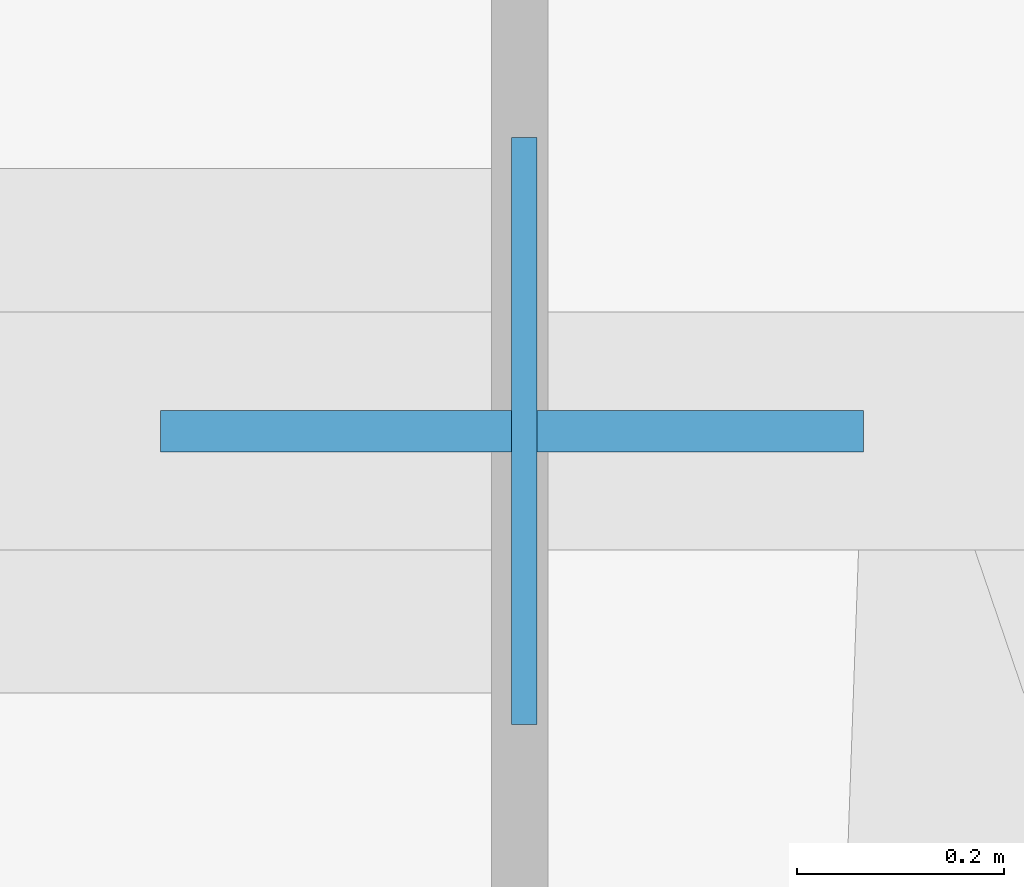
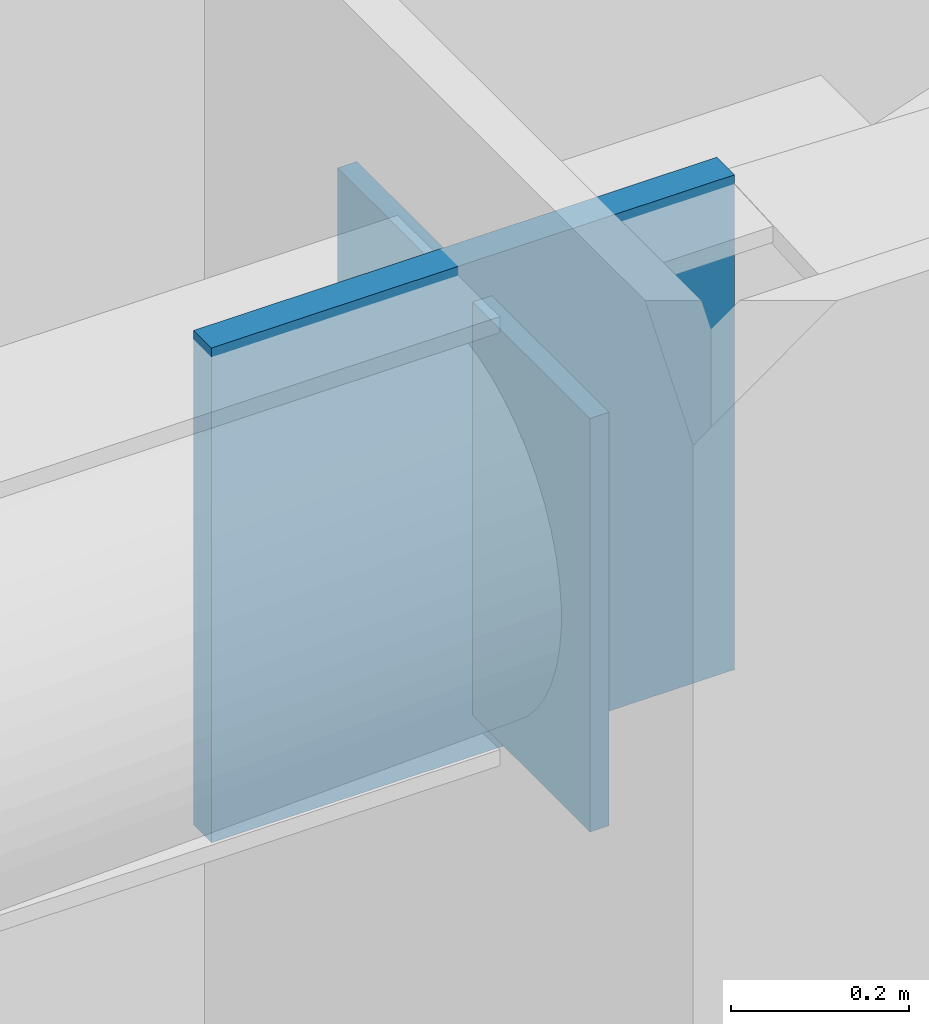
# One storey, part 10 of 19: 2 plates.
"""IFC4 building model written with IfcOpenShell, lengths in metres."""

from ifc_helpers import new_model, si_unit, direction, frame, origin, origin_2d, place, context, subcontext, project, spatial, rectangle, extrude, material, layer, layer_set, type_object, element, save


model = new_model("IFC4")

# Units and contexts
model_context = context("Model", 3, precision=1e-05, world=origin(), true_north=direction((0.0, 1.0)))
body_context = subcontext(model_context, "Body", "Model", "MODEL_VIEW")
ifc_project = project(units=[si_unit("LENGTHUNIT", "METRE"), si_unit("AREAUNIT", "SQUARE_METRE"), si_unit("VOLUMEUNIT", "CUBIC_METRE"), si_unit("PLANEANGLEUNIT", "RADIAN"), si_unit("MASSUNIT", "GRAM", prefix="KILO")], contexts=[model_context])

# Site, building, storey
site_placement = place(None, origin())
site = spatial("IfcSite", under=ifc_project, at=site_placement, CompositionType="ELEMENT")
building_placement = place(site_placement, origin())
building = spatial("IfcBuilding", under=site, at=building_placement, Name="Khamvora Tower", CompositionType="ELEMENT")
storey_placement = place(building_placement, frame((0.0, 0.0, 58.85009765625)))
storey = spatial("IfcBuildingStorey", under=building, at=storey_placement, Name="L14", CompositionType="ELEMENT", Elevation=58.85009765625)

# Plates
ifc_material_1 = material(Name="Steel S355", Category="steel")
ifc_layer_1 = layer(ifc_material_1, 0.02490234375)
ifc_layer_set_1 = layer_set([ifc_layer_1], Name="Steel S355")
plate_type_1 = type_object("IfcPlateType", Name="PL-CAP-25", PredefinedType="SHEET", material=ifc_layer_set_1)
plate_1_placement = place(storey_placement, frame((43.73193359375, 50.800048828125, 2.81689453125), z_axis=(0.0, 0.0, 1.0), x_axis=(1.0, 0.0, 0.0)))
element("IfcPlate", 1, at=plate_1_placement, inside=storey, type_object=plate_type_1, Name="L14 hollow section steel end cap plate 0587", PredefinedType="SHEET", context=body_context, shape_type="SweptSolid", body=[
    extrude(rectangle(XDim=0.02490234375, YDim=0.568115234375, at=origin_2d()), origin(), (0.0, 0.0, 1.0), 0.568115234375),
])
ifc_material_2 = material(Name="Steel S460", Category="steel")
ifc_layer_2 = layer(ifc_material_2, 0.0400390625)
ifc_layer_set_2 = layer_set([ifc_layer_2], Name="Steel S460")
plate_type_2 = type_object("IfcPlateType", Name="PLT-GUS-40", PredefinedType="SHEET", material=ifc_layer_set_2)
plate_2_placement = place(storey_placement, frame((43.719970703125, 50.800048828125, 2.7607421875), z_axis=(0.0, 0.0, 1.0), x_axis=(1.0, 0.0, 0.0)))
element("IfcPlate", 2, at=plate_2_placement, inside=storey, type_object=plate_type_2, Name="L14 brace connection node gusset plate 0104", PredefinedType="SHEET", context=body_context, shape_type="SweptSolid", body=[
    extrude(rectangle(XDim=0.679931640625, YDim=0.0400390625, at=origin_2d()), origin(), (0.0, 0.0, 1.0), 0.679931640625),
])

save(model, "model.ifc")
